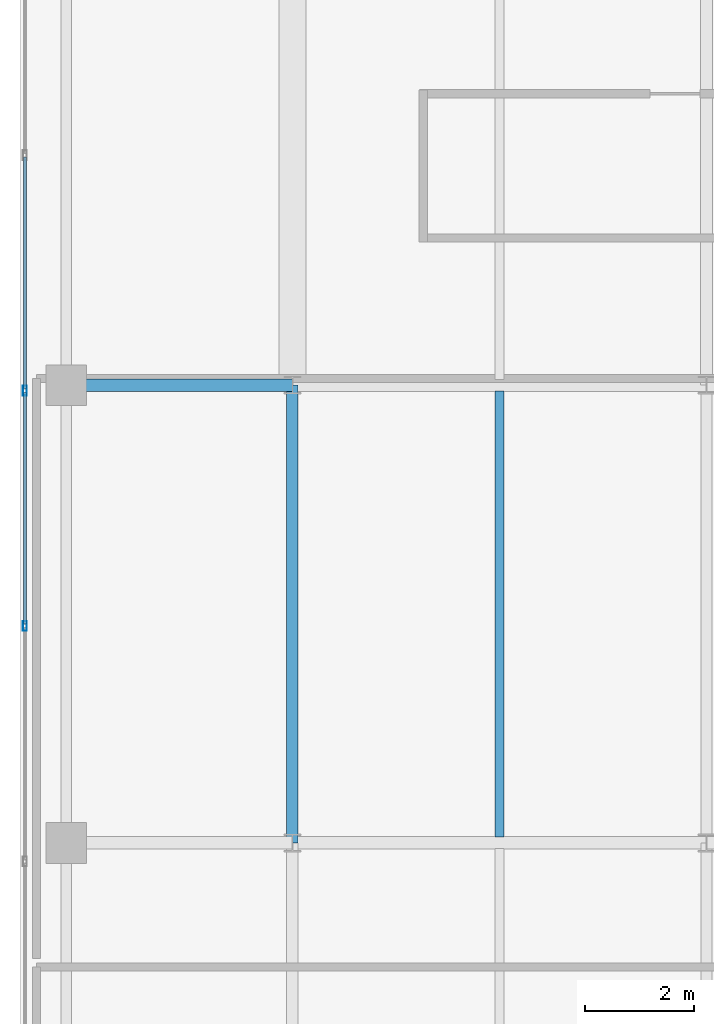
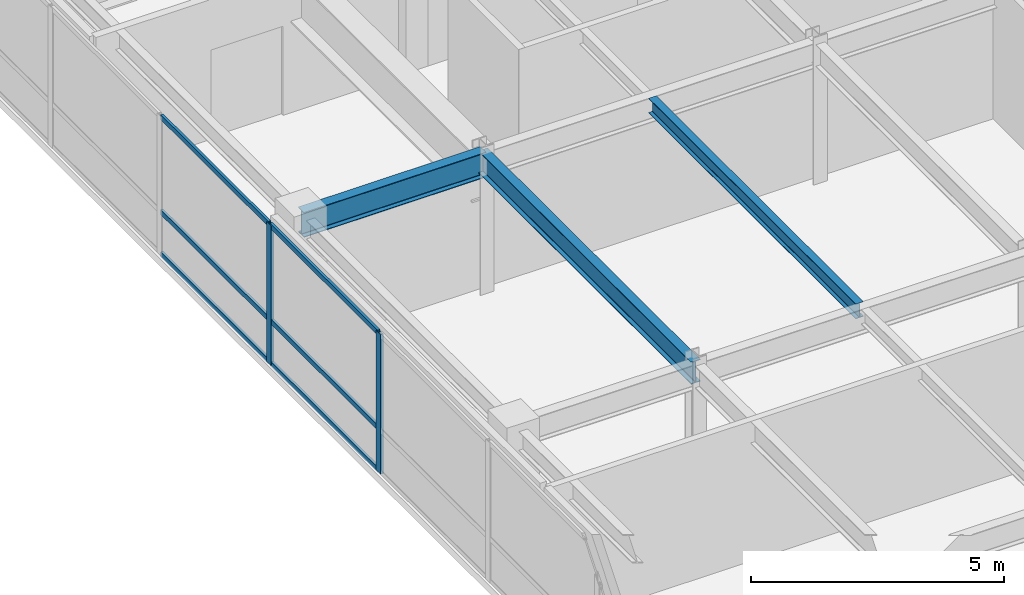
# One storey, part 7 of 21: 8 members, 3 beams, 1 element without a shape of its own.
"""IFC4 building model written with IfcOpenShell, lengths in metres."""

from ifc_helpers import new_model, si_unit, direction, frame, origin, origin_2d, place, context, subcontext, project, spatial, hollow_rectangle, i_section, extrude, source, transform, mapped, material, layer, layer_set, material_profile, profile_set, type_object, type_shapes, element, aggregate, save


model = new_model("IFC4")

# Units and contexts
model_context = context("Model", 3, precision=1e-05, world=origin(), true_north=direction((0.0, 1.0)))
body_context = subcontext(model_context, "Body", "Model", "MODEL_VIEW")
ifc_project = project(units=[si_unit("LENGTHUNIT", "METRE"), si_unit("AREAUNIT", "SQUARE_METRE"), si_unit("VOLUMEUNIT", "CUBIC_METRE"), si_unit("PLANEANGLEUNIT", "RADIAN"), si_unit("MASSUNIT", "GRAM", prefix="KILO")], contexts=[model_context])

# Site, building, storey
site_placement = place(None, origin())
site = spatial("IfcSite", under=ifc_project, at=site_placement, CompositionType="ELEMENT")
building_placement = place(site_placement, origin())
building = spatial("IfcBuilding", under=site, at=building_placement, Name="Tolvann Quenvar Hotel", CompositionType="ELEMENT")
storey_placement = place(building_placement, frame((0.0, 0.0, 227.449951171875)))
storey = spatial("IfcBuildingStorey", under=building, at=storey_placement, Name="L60", CompositionType="ELEMENT", Elevation=227.449951171875)

# Beams
ifc_material_1 = material(Name="Steel Grade 350", Category="steel")
ifc_material_profile_1 = material_profile(ifc_material_1, i_section(OverallWidth=0.208984375, OverallDepth=0.532958984375, WebThickness=0.01025390625, FlangeThickness=0.015625, FilletRadius=0.013916015625, at=origin_2d()), Name="530UB92")
ifc_profile_set_1 = profile_set([ifc_material_profile_1], Name="Steel Grade 350")
beam_type_1 = type_object("IfcBeamType", Name="BM_GIRD_530UB92", PredefinedType="BEAM", material=ifc_profile_set_1)
shared_shape_1 = source(origin(), body_context, "Body", "SweptSolid", [
    extrude(i_section(OverallWidth=0.208984375, OverallDepth=0.532958984375, WebThickness=0.01025390625, FlangeThickness=0.015625, FilletRadius=0.013916015625, at=origin_2d()), origin(), (0.0, 0.0, 1.0), 8.39990234375),
])
type_shapes(beam_type_1, [shared_shape_1])
beam_1_placement = place(storey_placement, frame((7.60009765625, 16.0, 3.103515625), z_axis=(0.0, 1.0, 0.0), x_axis=(-1.0, 0.0, 0.0)))
element("IfcBeam", 1, at=beam_1_placement, inside=storey, type_object=beam_type_1, Name="BM-L60-NS-C4-C5", PredefinedType="BEAM", context=body_context, shape_type="MappedRepresentation", body=[
    mapped(shared_shape_1, transform((0.0, 0.0, 0.0), x_axis=(1.0, 0.0, 0.0), y_axis=(0.0, 1.0, 0.0), z_axis=(0.0, 0.0, 1.0), scale=1.0)),
])
ifc_material_profile_2 = material_profile(ifc_material_1, i_section(OverallWidth=0.22802734375, OverallDepth=0.60205078125, WebThickness=0.010498046875, FlangeThickness=0.014892578125, FilletRadius=0.013916015625, at=origin_2d()), Name="610UB101")
ifc_profile_set_2 = profile_set([ifc_material_profile_2], Name="Steel Grade 350")
beam_type_2 = type_object("IfcBeamType", Name="BM_GIRD_610UB101", PredefinedType="BEAM", material=ifc_profile_set_2)
shared_shape_2 = source(origin(), body_context, "Body", "SweptSolid", [
    extrude(i_section(OverallWidth=0.22802734375, OverallDepth=0.60205078125, WebThickness=0.010498046875, FlangeThickness=0.014892578125, FilletRadius=0.013916015625, at=origin_2d()), origin(), (0.0, 0.0, 1.0), 4.150146484375),
])
type_shapes(beam_type_2, [shared_shape_2])
beam_2_placement = place(storey_placement, frame((3.449951171875, 24.39990234375, 3.069091796875), z_axis=(1.0, 0.0, 0.0), x_axis=(0.0, 1.0, 0.0)))
element("IfcBeam", 2, at=beam_2_placement, inside=storey, type_object=beam_type_2, Name="BM-L60-EW-5-B5-C5", PredefinedType="BEAM", context=body_context, shape_type="MappedRepresentation", body=[
    mapped(shared_shape_2, transform((0.0, 0.0, 0.0), x_axis=(1.0, 0.0, 0.0), y_axis=(0.0, 1.0, 0.0), z_axis=(0.0, 0.0, 1.0), scale=1.0)),
])
ifc_material_profile_3 = material_profile(ifc_material_1, i_section(OverallWidth=0.172119140625, OverallDepth=0.35888671875, WebThickness=0.008056640625, FlangeThickness=0.012939453125, FilletRadius=0.011474609375, at=origin_2d()), Name="360UB57")
ifc_profile_set_3 = profile_set([ifc_material_profile_3], Name="Steel Grade 350")
beam_type_3 = type_object("IfcBeamType", Name="BM_JOIST_360UB57", PredefinedType="JOIST", material=ifc_profile_set_3)
shared_shape_3 = source(origin(), body_context, "Body", "SweptSolid", [
    extrude(i_section(OverallWidth=0.172119140625, OverallDepth=0.35888671875, WebThickness=0.008056640625, FlangeThickness=0.012939453125, FilletRadius=0.011474609375, at=origin_2d()), origin(), (0.0, 0.0, 1.0), 8.18408203125),
])
type_shapes(beam_type_3, [shared_shape_3])
beam_3_placement = place(storey_placement, frame((11.39990234375, 16.10791015625, 3.1904296875), z_axis=(0.0, 1.0, 0.0), x_axis=(-1.0, 0.0, 0.0)))
element("IfcBeam", 3, at=beam_3_placement, inside=storey, type_object=beam_type_3, Name="BJ-L60-114-160", PredefinedType="JOIST", context=body_context, shape_type="MappedRepresentation", body=[
    mapped(shared_shape_3, transform((0.0, 0.0, 0.0), x_axis=(1.0, 0.0, 0.0), y_axis=(0.0, 1.0, 0.0), z_axis=(0.0, 0.0, 1.0), scale=1.0)),
])

# Curtain wall, members
ifc_material_2 = material(Name="Thermally broken anodised architectural aluminium 6063-T6 and laminated low-E glass", Category="aluminium")
ifc_layer = layer(ifc_material_2, 0.179931640625)
ifc_layer_set = layer_set([ifc_layer], Name="Thermally broken anodised architectural aluminium 6063-T6 and laminated low-E glass")
curtain_wall_type = type_object("IfcCurtainWallType", Name="CW_SYS_BAND_04", PredefinedType="USERDEFINED", material=ifc_layer_set)
curtain_wall_placement = place(storey_placement, origin())
curtain_wall = element("IfcCurtainWall", 4, at=curtain_wall_placement, inside=storey, type_object=curtain_wall_type, Name="Curtain Wall CW-BAND-04 (CWR-L60-E19)", ObjectType="UNITISED CURTAIN WALL", PredefinedType="USERDEFINED")
ifc_material_3 = material(Name="Anodised architectural aluminium 6063-T6 framing", Category="aluminium")
ifc_material_profile_4 = material_profile(ifc_material_3, hollow_rectangle(XDim=0.070068359375, YDim=0.179931640625, WallThickness=0.00390625, at=origin_2d()), Name="180x70x4RHS")
ifc_profile_set_4 = profile_set([ifc_material_profile_4], Name="Anodised architectural aluminium 6063-T6 framing")
member_type_1 = type_object("IfcMemberType", Name="CW_MULL_180x70", PredefinedType="MULLION", material=ifc_profile_set_4)
shared_shape_4 = source(origin(), body_context, "Body", "SweptSolid", [
    extrude(hollow_rectangle(XDim=0.070068359375, YDim=0.179931640625, WallThickness=0.00390625, at=origin_2d()), origin(), (0.0, 0.0, 1.0), 3.3701171875),
])
type_shapes(member_type_1, [shared_shape_4])
member_1_placement = place(storey_placement, frame((2.68994140625, 24.300048828125, 0.0), z_axis=(0.0, 0.0, 1.0), x_axis=(1.0, 0.0, 0.0)))
member_1 = element("IfcMember", 5, at=member_1_placement, type_object=member_type_1, Name="CW-BAND-04 mullion 5", PredefinedType="MULLION", context=body_context, shape_type="MappedRepresentation", body=[
    mapped(shared_shape_4, transform((0.0, 0.0, 0.0), x_axis=(1.0, 0.0, 0.0), y_axis=(0.0, 1.0, 0.0), z_axis=(0.0, 0.0, 1.0), scale=1.0)),
])
member_2_placement = place(storey_placement, frame((2.68994140625, 19.979248046875, 0.0), z_axis=(0.0, 0.0, 1.0), x_axis=(1.0, 0.0, 0.0)))
member_2 = element("IfcMember", 6, at=member_2_placement, type_object=member_type_1, Name="CW-BAND-04 mullion 6", PredefinedType="MULLION", context=body_context, shape_type="MappedRepresentation", body=[
    mapped(shared_shape_4, transform((0.0, 0.0, 0.0), x_axis=(1.0, 0.0, 0.0), y_axis=(0.0, 1.0, 0.0), z_axis=(0.0, 0.0, 1.0), scale=1.0)),
])
ifc_material_profile_5 = material_profile(ifc_material_3, hollow_rectangle(XDim=0.06005859375, YDim=0.1201171875, WallThickness=0.00341796875, at=origin_2d()), Name="120x60x3.5RHS")
ifc_profile_set_5 = profile_set([ifc_material_profile_5], Name="Anodised architectural aluminium 6063-T6 framing")
member_type_2 = type_object("IfcMemberType", Name="CW_TRAN_120x60", PredefinedType="USERDEFINED", material=ifc_profile_set_5)
shared_shape_5 = source(origin(), body_context, "Body", "SweptSolid", [
    extrude(hollow_rectangle(XDim=0.06005859375, YDim=0.1201171875, WallThickness=0.00341796875, at=origin_2d()), origin(), (0.0, 0.0, 1.0), 4.250732421875),
])
member_3_placement = place(storey_placement, frame((2.68994140625, 28.585693359375, 0.030029296875), z_axis=(0.0, -1.0, 0.0), x_axis=(1.0, 0.0, 0.0)))
member_3 = element("IfcMember", 7, at=member_3_placement, type_object=member_type_2, Name="CW-BAND-04 transom 4.1", ObjectType="TRANSOM", PredefinedType="USERDEFINED", context=body_context, shape_type="MappedRepresentation", body=[
    mapped(shared_shape_5, transform((0.0, 0.0, 0.0), x_axis=(1.0, 0.0, 0.0), y_axis=(0.0, 1.0, 0.0), z_axis=(0.0, 0.0, 1.0), scale=1.0)),
])
member_4_placement = place(storey_placement, frame((2.68994140625, 28.585693359375, 1.050048828125), z_axis=(0.0, -1.0, 0.0), x_axis=(1.0, 0.0, 0.0)))
member_4 = element("IfcMember", 8, at=member_4_placement, type_object=member_type_2, Name="CW-BAND-04 transom 4.2", ObjectType="TRANSOM", PredefinedType="USERDEFINED", context=body_context, shape_type="MappedRepresentation", body=[
    mapped(shared_shape_5, transform((0.0, 0.0, 0.0), x_axis=(1.0, 0.0, 0.0), y_axis=(0.0, 1.0, 0.0), z_axis=(0.0, 0.0, 1.0), scale=1.0)),
])
member_5_placement = place(storey_placement, frame((2.68994140625, 28.585693359375, 3.340087890625), z_axis=(0.0, -1.0, 0.0), x_axis=(1.0, 0.0, 0.0)))
member_5 = element("IfcMember", 9, at=member_5_placement, type_object=member_type_2, Name="CW-BAND-04 transom 4.3", ObjectType="TRANSOM", PredefinedType="USERDEFINED", context=body_context, shape_type="MappedRepresentation", body=[
    mapped(shared_shape_5, transform((0.0, 0.0, 0.0), x_axis=(1.0, 0.0, 0.0), y_axis=(0.0, 1.0, 0.0), z_axis=(0.0, 0.0, 1.0), scale=1.0)),
])
shared_shape_6 = source(origin(), body_context, "Body", "SweptSolid", [
    extrude(hollow_rectangle(XDim=0.06005859375, YDim=0.1201171875, WallThickness=0.00341796875, at=origin_2d()), origin(), (0.0, 0.0, 1.0), 4.25048828125),
])
type_shapes(member_type_2, [shared_shape_5, shared_shape_6])
member_6_placement = place(storey_placement, frame((2.68994140625, 24.264892578125, 0.030029296875), z_axis=(0.0, -1.0, 0.0), x_axis=(1.0, 0.0, 0.0)))
member_6 = element("IfcMember", 10, at=member_6_placement, type_object=member_type_2, Name="CW-BAND-04 transom 5.1", ObjectType="TRANSOM", PredefinedType="USERDEFINED", context=body_context, shape_type="MappedRepresentation", body=[
    mapped(shared_shape_6, transform((0.0, 0.0, 0.0), x_axis=(1.0, 0.0, 0.0), y_axis=(0.0, 1.0, 0.0), z_axis=(0.0, 0.0, 1.0), scale=1.0)),
])
member_7_placement = place(storey_placement, frame((2.68994140625, 24.264892578125, 1.050048828125), z_axis=(0.0, -1.0, 0.0), x_axis=(1.0, 0.0, 0.0)))
member_7 = element("IfcMember", 11, at=member_7_placement, type_object=member_type_2, Name="CW-BAND-04 transom 5.2", ObjectType="TRANSOM", PredefinedType="USERDEFINED", context=body_context, shape_type="MappedRepresentation", body=[
    mapped(shared_shape_6, transform((0.0, 0.0, 0.0), x_axis=(1.0, 0.0, 0.0), y_axis=(0.0, 1.0, 0.0), z_axis=(0.0, 0.0, 1.0), scale=1.0)),
])
member_8_placement = place(storey_placement, frame((2.68994140625, 24.264892578125, 3.340087890625), z_axis=(0.0, -1.0, 0.0), x_axis=(1.0, 0.0, 0.0)))
member_8 = element("IfcMember", 12, at=member_8_placement, type_object=member_type_2, Name="CW-BAND-04 transom 5.3", ObjectType="TRANSOM", PredefinedType="USERDEFINED", context=body_context, shape_type="MappedRepresentation", body=[
    mapped(shared_shape_6, transform((0.0, 0.0, 0.0), x_axis=(1.0, 0.0, 0.0), y_axis=(0.0, 1.0, 0.0), z_axis=(0.0, 0.0, 1.0), scale=1.0)),
])
aggregate(curtain_wall, [member_1, member_2, member_3, member_4, member_5, member_6, member_7, member_8])

save(model, "model.ifc")
